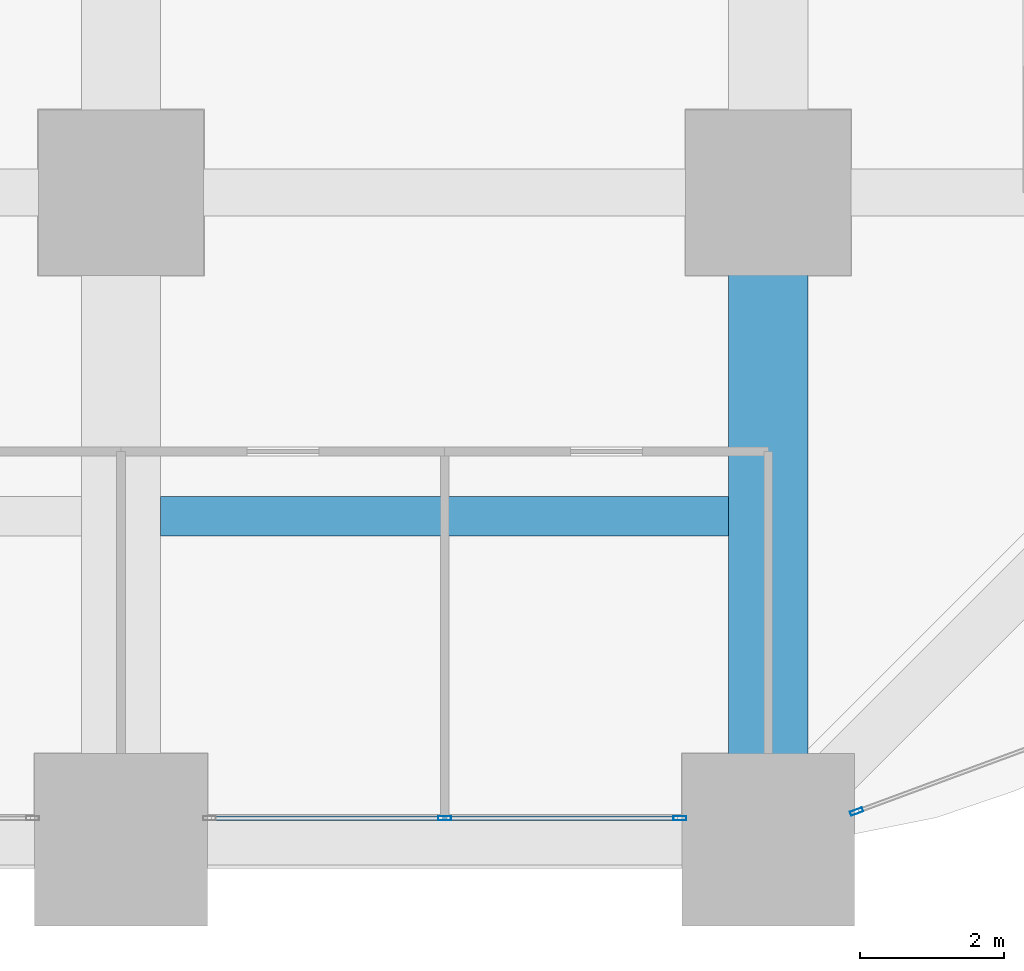
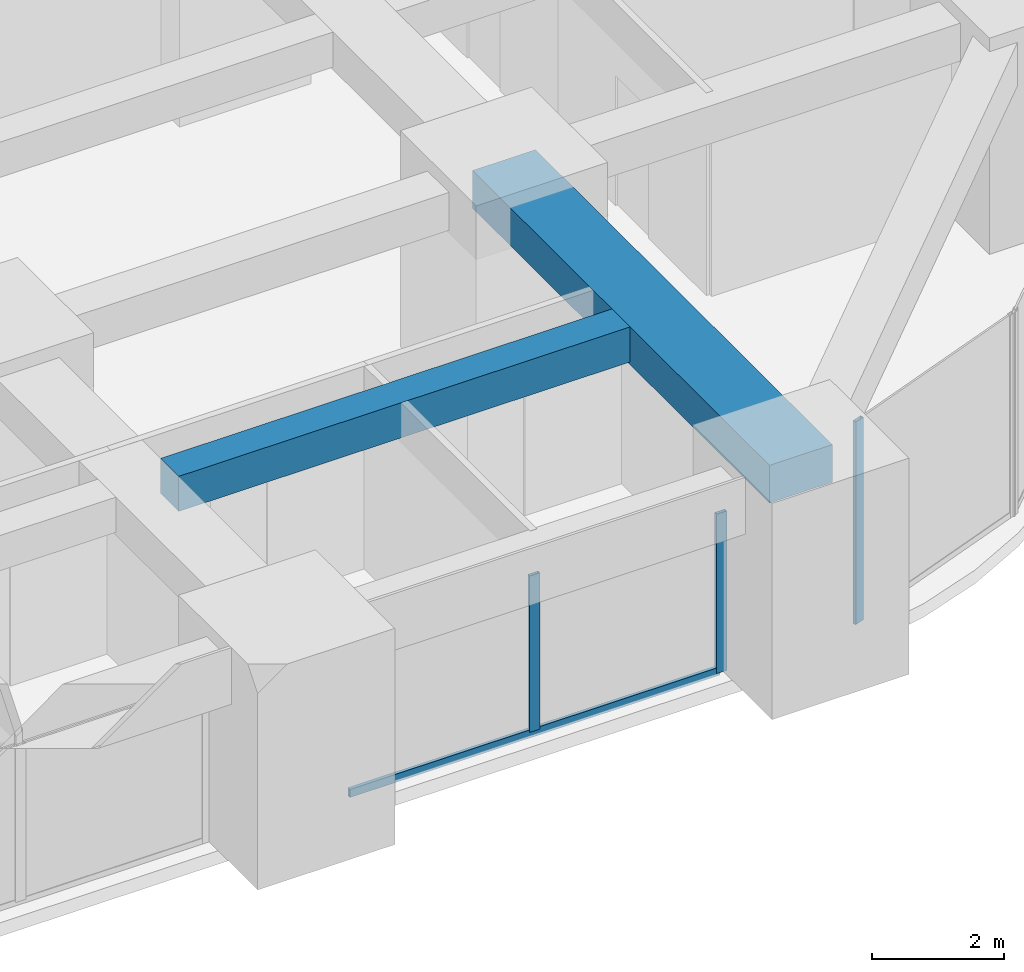
# One storey, part 15 of 45: 4 members, 2 beams, 2 elements without a shape of their own.
"""IFC4 building model written with IfcOpenShell, lengths in metres."""

from ifc_helpers import new_model, si_unit, direction, frame, origin, origin_2d, place, context, subcontext, project, spatial, rectangle, hollow_rectangle, extrude, material, material_profile, profile_set, type_object, element, aggregate, save


model = new_model("IFC4")

# Units and contexts
model_context = context("Model", 3, precision=1e-05, world=origin(), true_north=direction((0.0, 1.0)))
body_context = subcontext(model_context, "Body", "Model", "MODEL_VIEW")
ifc_project = project(units=[si_unit("LENGTHUNIT", "METRE"), si_unit("AREAUNIT", "SQUARE_METRE"), si_unit("VOLUMEUNIT", "CUBIC_METRE"), si_unit("PLANEANGLEUNIT", "RADIAN"), si_unit("MASSUNIT", "GRAM", prefix="KILO")], contexts=[model_context])

# Site, building, storey
site_placement = place(None, origin())
site = spatial("IfcSite", under=ifc_project, at=site_placement, CompositionType="ELEMENT")
building_placement = place(site_placement, origin())
building = spatial("IfcBuilding", under=site, at=building_placement, Name="Zorevar Civic Tower", CompositionType="ELEMENT")
storey_placement = place(building_placement, frame((0.0, 0.0, 23.800048828125)))
storey = spatial("IfcBuildingStorey", under=building, at=storey_placement, Name="L05", CompositionType="ELEMENT", Elevation=23.800048828125)

# Beams
ifc_material_1 = material(Name="Concrete C50/60", Category="concrete")
ifc_material_profile_1 = material_profile(ifc_material_1, rectangle(XDim=1.10009765625, YDim=0.699951171875, at=origin_2d()), Name="RC 1100x700")
ifc_profile_set_1 = profile_set([ifc_material_profile_1], Name="Concrete C50/60")
beam_type_1 = type_object("IfcBeamType", Name="Beam RC 1100x700", PredefinedType="BEAM", material=ifc_profile_set_1)
beam_1_placement = place(storey_placement, frame((54.0, 0.0, 3.39990234375), z_axis=(0.0, 1.0, 0.0), x_axis=(-1.0, 0.0, 0.0)))
element("IfcBeam", 1, at=beam_1_placement, inside=storey, type_object=beam_type_1, Name="Girder L06", PredefinedType="BEAM", context=body_context, shape_type="SweptSolid", body=[
    extrude(rectangle(XDim=1.10009765625, YDim=0.699951171875, at=origin_2d()), origin(), (0.0, 0.0, 1.0), 9.0),
])
ifc_material_2 = material(Name="Concrete C50/60", Category="concrete")
ifc_material_profile_2 = material_profile(ifc_material_2, rectangle(XDim=0.550048828125, YDim=0.64990234375, at=origin_2d()), Name="RC 550x650")
ifc_profile_set_2 = profile_set([ifc_material_profile_2], Name="Concrete C50/60")
beam_type_2 = type_object("IfcBeamType", Name="Beam RC 550x650", PredefinedType="BEAM", material=ifc_profile_set_2)
beam_2_placement = place(storey_placement, frame((45.550048828125, 4.5, 3.425048828125), z_axis=(1.0, 0.0, 0.0), x_axis=(0.0, 1.0, 0.0)))
element("IfcBeam", 2, at=beam_2_placement, inside=storey, type_object=beam_type_2, Name="Secondary beam L06", PredefinedType="BEAM", context=body_context, shape_type="SweptSolid", body=[
    extrude(rectangle(XDim=0.550048828125, YDim=0.64990234375, at=origin_2d()), origin(), (0.0, 0.0, 1.0), 7.89990234375),
])

# Curtain wall, members
ifc_material_3 = material(Name="Dark grey solar-control glass in black aluminium frame", Category="aluminium")
curtain_wall_type = type_object("IfcCurtainWallType", Name="Curtain wall CW2 low zone", PredefinedType="NOTDEFINED", material=ifc_material_3)
curtain_wall_1_placement = place(storey_placement, origin())
curtain_wall_1 = element("IfcCurtainWall", 3, at=curtain_wall_1_placement, inside=storey, type_object=curtain_wall_type, Name="CW2 L05", PredefinedType="NOTDEFINED")
ifc_material_4 = material(Name="Aluminium, black anodised", Category="aluminium")
ifc_material_profile_3 = material_profile(ifc_material_4, hollow_rectangle(XDim=0.06005859375, YDim=0.179931640625, WallThickness=0.00390625, at=origin_2d()), Name="AL 180x60x4")
ifc_profile_set_3 = profile_set([ifc_material_profile_3], Name="Aluminium, black anodised")
member_type_1 = type_object("IfcMemberType", Name="CW2 mullion AL 180x60x4", PredefinedType="MULLION", material=ifc_profile_set_3)
member_1_placement = place(storey_placement, frame((49.5, 0.300048828125, 0.06005859375), z_axis=(0.0, 0.0, 1.0), x_axis=(0.0, 1.0, 0.0)))
member_1 = element("IfcMember", 4, at=member_1_placement, type_object=member_type_1, Name="CW2 mullion 2", PredefinedType="MULLION", context=body_context, shape_type="SweptSolid", body=[
    extrude(hollow_rectangle(XDim=0.06005859375, YDim=0.179931640625, WallThickness=0.00390625, at=origin_2d()), origin(), (0.0, 0.0, 1.0), 2.889892578125),
])
member_2_placement = place(storey_placement, frame((52.77001953125, 0.300048828125, 0.0), z_axis=(0.0, 0.0, 1.0), x_axis=(0.0, 1.0, 0.0)))
member_2 = element("IfcMember", 5, at=member_2_placement, type_object=member_type_1, Name="CW2 mullion 3", PredefinedType="MULLION", context=body_context, shape_type="SweptSolid", body=[
    extrude(hollow_rectangle(XDim=0.06005859375, YDim=0.179931640625, WallThickness=0.00390625, at=origin_2d()), origin(), (0.0, 0.0, 1.0), 2.949951171875),
])

# Curtain wall, member
curtain_wall_2_placement = place(storey_placement, origin())
curtain_wall_2 = element("IfcCurtainWall", 6, at=curtain_wall_2_placement, inside=storey, type_object=curtain_wall_type, Name="CW2 L05", PredefinedType="NOTDEFINED")
member_3_placement = place(storey_placement, frame((55.22802734375, 0.3935546875, 0.0), z_axis=(0.0, 0.0, 1.0), x_axis=(-0.346704012033, 0.937974588163, 0.0)))
member_3 = element("IfcMember", 7, at=member_3_placement, type_object=member_type_1, Name="CW2 mullion 1", PredefinedType="MULLION", context=body_context, shape_type="SweptSolid", body=[
    extrude(hollow_rectangle(XDim=0.06005859375, YDim=0.179931640625, WallThickness=0.00390625, at=origin_2d()), origin(), (0.0, 0.0, 1.0), 3.75),
])
aggregate(curtain_wall_2, [member_3])

# Member
ifc_material_5 = material(Name="Aluminium, black anodised", Category="aluminium")
ifc_material_profile_4 = material_profile(ifc_material_5, hollow_rectangle(XDim=0.06005859375, YDim=0.14990234375, WallThickness=0.00390625, at=origin_2d()), Name="AL 150x60x4")
ifc_profile_set_4 = profile_set([ifc_material_profile_4], Name="Aluminium, black anodised")
member_type_2 = type_object("IfcMemberType", Name="CW2 transom AL 150x60x4", PredefinedType="USERDEFINED", material=ifc_profile_set_4)
member_4_placement = place(storey_placement, frame((46.260009765625, 0.300048828125, 0.030029296875), z_axis=(1.0, 0.0, 0.0), x_axis=(0.0, 1.0, 0.0)))
member_4 = element("IfcMember", 8, at=member_4_placement, type_object=member_type_2, Name="CW2 sill transom", ObjectType="TRANSOM", PredefinedType="USERDEFINED", context=body_context, shape_type="SweptSolid", body=[
    extrude(hollow_rectangle(XDim=0.06005859375, YDim=0.14990234375, WallThickness=0.00390625, at=origin_2d()), origin(), (0.0, 0.0, 1.0), 6.47998046875),
])

aggregate(curtain_wall_1, [member_1, member_2, member_4])

save(model, "model.ifc")
